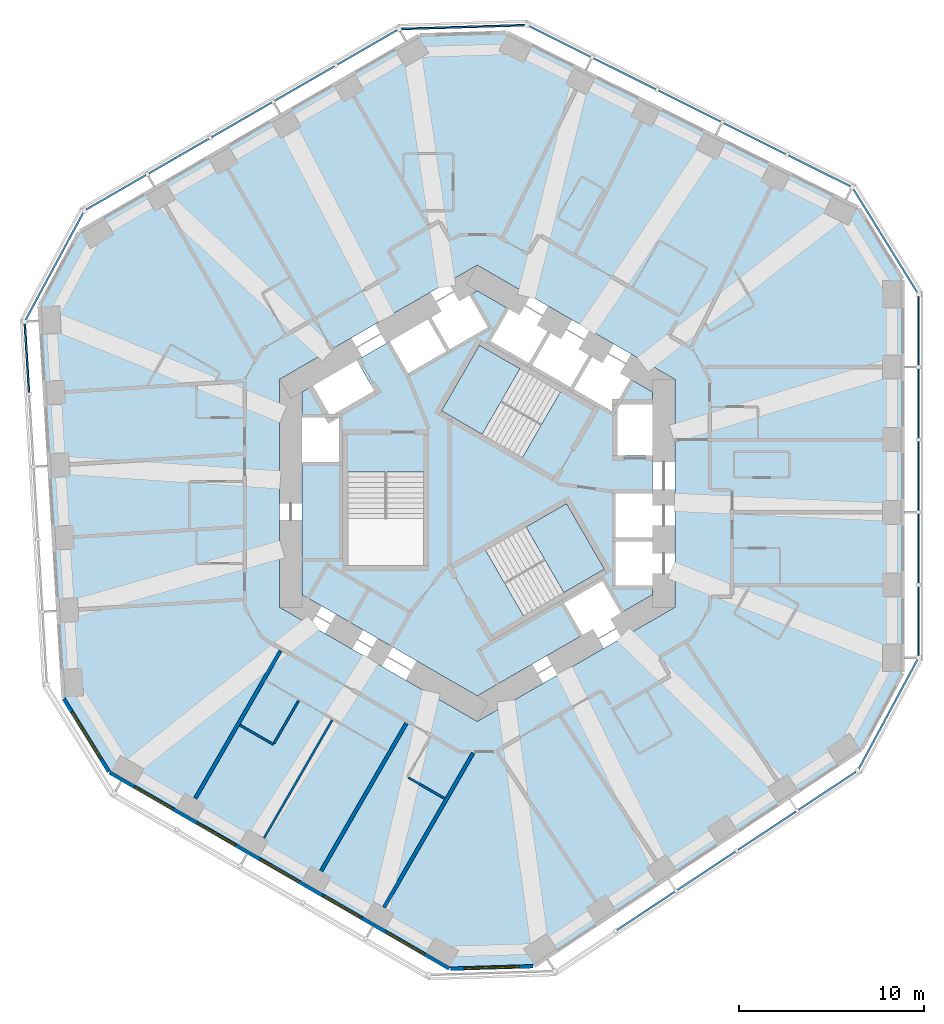
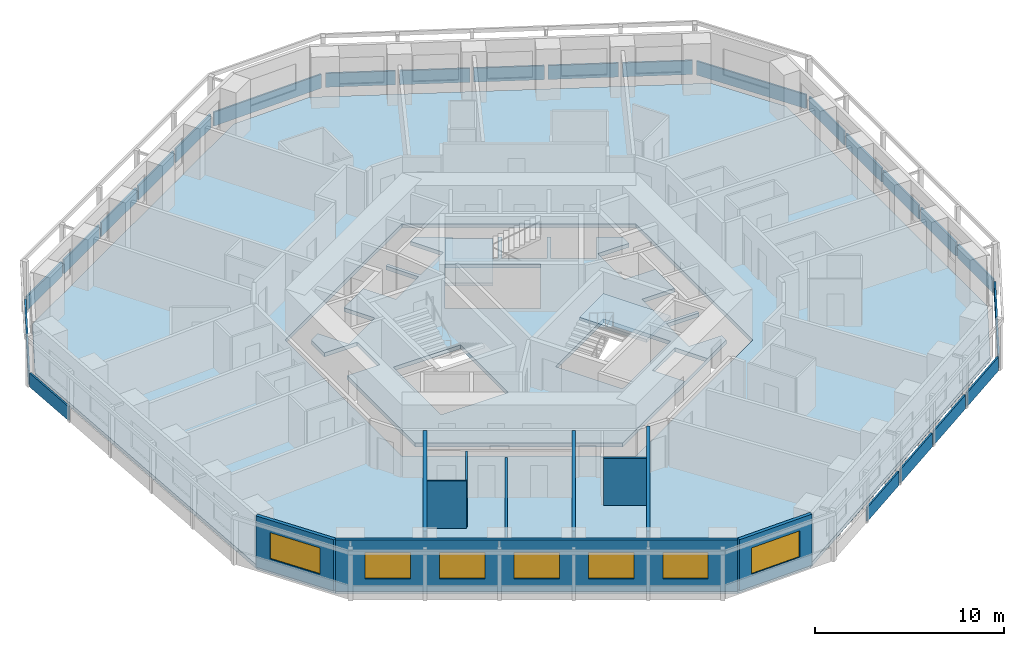
# One storey, part 3 of 12: 24 plates, 10 walls, 7 windows, 4 slabs, 7 openings, 11 elements without a shape of their own.
"""IFC4 building model written with IfcOpenShell, lengths in metres."""

from ifc_helpers import new_model, si_unit, direction, frame, frame_2d, origin, origin_2d, place, context, subcontext, project, spatial, polyline, rectangle, outline, extrude, material, layer, layer_set, type_object, element, fill, aggregate, save


model = new_model("IFC4")

# Units and contexts
model_context = context("Model", 3, precision=1e-05, world=origin(), true_north=direction((0.0, 1.0)))
body_context = subcontext(model_context, "Body", "Model", "MODEL_VIEW")
ifc_project = project(units=[si_unit("LENGTHUNIT", "METRE"), si_unit("AREAUNIT", "SQUARE_METRE"), si_unit("VOLUMEUNIT", "CUBIC_METRE"), si_unit("PLANEANGLEUNIT", "RADIAN"), si_unit("MASSUNIT", "GRAM", prefix="KILO")], contexts=[model_context])

# Site, building, storey
site_placement = place(None, origin())
site = spatial("IfcSite", under=ifc_project, at=site_placement, CompositionType="ELEMENT")
building_placement = place(site_placement, origin())
building = spatial("IfcBuilding", under=site, at=building_placement, Name="Vanh Sen Convention Tower", CompositionType="ELEMENT")
storey_placement = place(building_placement, frame((0.0, 0.0, 60.5)))
storey = spatial("IfcBuildingStorey", under=building, at=storey_placement, Name="L12", CompositionType="ELEMENT", Elevation=60.5)

# Slabs
ifc_material_1 = material(Name="Concrete C40/50", Category="concrete")
ifc_layer_1 = layer(ifc_material_1, 0.25)
ifc_layer_set_1 = layer_set([ifc_layer_1], Name="Concrete C40/50")
slab_type_1 = type_object("IfcSlabType", Name="Core slab 250", PredefinedType="FLOOR", material=ifc_layer_set_1)
slab_1_placement = place(storey_placement, frame((0.0, 0.0, -0.25)))
element("IfcSlab", 1, at=slab_1_placement, inside=storey, type_object=slab_type_1, Name="Core slab L12", PredefinedType="FLOOR", context=body_context, shape_type="SweptSolid", body=[
    extrude(outline(polyline([(9.5, 5.48486328125), (9.5, 4.800048828125), (7.60009765625, 4.800048828125), (7.60009765625, 2.050048828125), (9.5, 2.050048828125), (9.5, 0.0), (7.5, 0.0), (7.5, -2.39990234375), (9.5, -2.39990234375), (9.5, -2.60009765625), (7.5, -2.60009765625), (7.5, -5.0), (9.5, -5.0), (9.5, -5.48486328125), (0.0, -10.9697265625), (-9.5, -5.48486328125), (-9.5, 1.699951171875), (-7.5, 1.699951171875), (-7.5, 4.10009765625), (-9.5, 4.10009765625), (-9.5, 5.48486328125), (-8.906982421875, 5.8271484375), (-7.956787109375, 4.181884765625), (-5.575439453125, 5.556884765625), (-6.525390625, 7.2021484375), (-4.75, 8.227294921875), (-3.75, 6.4951171875), (-1.67138671875, 7.6953125), (-2.67138671875, 9.42724609375), (-2.498291015625, 9.527099609375), (-1.498291015625, 7.795166015625), (0.580078125, 8.9951171875), (-0.419921875, 10.727294921875), (0.0, 10.9697265625), (1.718994140625, 9.977294921875), (0.718994140625, 8.2451171875), (2.79736328125, 7.045166015625), (3.79736328125, 8.777099609375), (3.970703125, 8.67724609375), (2.970703125, 6.9453125), (5.049072265625, 5.7451171875), (6.049072265625, 7.477294921875), (6.22216796875, 7.377197265625), (5.22216796875, 5.645263671875), (7.30078125, 4.4453125), (8.30078125, 6.17724609375), (9.5, 5.48486328125)]), holes=[polyline([(-7.0, 3.14990234375), (-7.0, -3.909912109375), (-2.89990234375, -3.909912109375), (-2.89990234375, 3.14990234375), (-2.89990234375, 1.1494140625), (-7.0, 1.1494140625), (-7.0, 3.14990234375)]), polyline([(4.495361328125, 5.487548828125), (6.22802734375, 4.4873046875), (0.11376953125, 8.01708984375), (-1.936279296875, 4.466552734375), (2.4453125, 1.936767578125), (4.495361328125, 5.487548828125)]), polyline([(7.781005859375, -6.477294921875), (6.781005859375, -4.7451171875), (4.70263671875, -5.9453125), (5.70263671875, -7.67724609375), (7.781005859375, -6.477294921875)]), polyline([(0.45458984375, -3.086181640625), (2.504638671875, -6.63671875), (6.88623046875, -4.107177734375), (4.836181640625, -0.556396484375), (-1.278076171875, -4.08642578125), (0.45458984375, -3.086181640625)])]), origin(), (0.0, 0.0, 1.0), 0.25),
])
ifc_layer_2 = layer(ifc_material_1, 0.25)
ifc_layer_set_2 = layer_set([ifc_layer_2], Name="Concrete C40/50")
slab_type_2 = type_object("IfcSlabType", Name="Floor slab 250 REI 120", PredefinedType="FLOOR", material=ifc_layer_set_2)
slab_2_placement = place(storey_placement, frame((0.0, 0.0, -0.25)))
element("IfcSlab", 2, at=slab_2_placement, inside=storey, type_object=slab_type_2, Name="Floor slab L12 tower", PredefinedType="FLOOR", context=body_context, shape_type="SweptSolid", body=[
    extrude(outline(polyline([(23.0, -9.69921875), (23.0, 11.57373046875), (20.620361328125, 15.419189453125), (1.58251953125, 24.911376953125), (-3.10009765625, 24.768310546875), (-21.523193359375, 14.131591796875), (-23.663818359375, 10.14794921875), (-22.364990234375, -11.085205078125), (-19.89990234375, -15.069091796875), (-1.476806640625, -25.705322265625), (3.04345703125, -25.5673828125), (20.78271484375, -13.825927734375), (23.0, -9.69921875)]), holes=[polyline([(0.0, 12.355224609375), (-10.699951171875, 6.177490234375), (-10.699951171875, -6.177490234375), (0.0, -12.355224609375), (10.699951171875, -6.177490234375), (10.699951171875, 6.177490234375), (0.0, 12.355224609375)])]), origin(), (0.0, 0.0, 1.0), 0.25),
])

# Curtain wall, plates
ifc_material_2 = material(Name="Concrete C50/60", Category="concrete")
curtain_wall_type = type_object("IfcCurtainWallType", Name="Outer skin hotel zone", PredefinedType="NOTDEFINED", material=ifc_material_2)
curtain_wall_1_placement = place(storey_placement, origin())
curtain_wall_1 = element("IfcCurtainWall", 3, at=curtain_wall_1_placement, inside=storey, type_object=curtain_wall_type, Name="OUTER SKIN E L12", PredefinedType="NOTDEFINED")
ifc_layer_3 = layer(ifc_material_2, 0.10009765625)
ifc_layer_set_3 = layer_set([ifc_layer_3], Name="Concrete C50/60")
plate_type = type_object("IfcPlateType", Name="Outer skin precast screen panel 100", PredefinedType="CURTAIN_PANEL", material=ifc_layer_set_3)
plate_1_placement = place(storey_placement, frame((23.89990234375, -6.91943359375, 0.0), z_axis=(0.0, 0.0, 1.0), x_axis=(0.0, 1.0, 0.0)))
plate_1 = element("IfcPlate", 4, at=plate_1_placement, type_object=plate_type, Name="OUTER SKIN screen panel E-1", PredefinedType="CURTAIN_PANEL", context=body_context, shape_type="SweptSolid", body=[
    extrude(rectangle(XDim=3.709716796875, YDim=0.10009765625, at=origin_2d()), origin(), (0.0, 0.0, 1.0), 0.89990234375),
])
plate_2_placement = place(storey_placement, frame((23.89990234375, -2.997314453125, 0.0), z_axis=(0.0, 0.0, 1.0), x_axis=(0.0, 1.0, 0.0)))
plate_2 = element("IfcPlate", 5, at=plate_2_placement, type_object=plate_type, Name="OUTER SKIN screen panel E-2", PredefinedType="CURTAIN_PANEL", context=body_context, shape_type="SweptSolid", body=[
    extrude(rectangle(XDim=3.734619140625, YDim=0.10009765625, at=origin_2d()), origin(), (0.0, 0.0, 1.0), 0.89990234375),
])
plate_3_placement = place(storey_placement, frame((23.89990234375, 0.937255859375, 0.0), z_axis=(0.0, 0.0, 1.0), x_axis=(0.0, 1.0, 0.0)))
plate_3 = element("IfcPlate", 6, at=plate_3_placement, type_object=plate_type, Name="OUTER SKIN screen panel E-3", PredefinedType="CURTAIN_PANEL", context=body_context, shape_type="SweptSolid", body=[
    extrude(rectangle(XDim=3.734619140625, YDim=0.10009765625, at=origin_2d()), origin(), (0.0, 0.0, 1.0), 0.89990234375),
])
plate_4_placement = place(storey_placement, frame((23.89990234375, 4.871826171875, 0.0), z_axis=(0.0, 0.0, 1.0), x_axis=(0.0, 1.0, 0.0)))
plate_4 = element("IfcPlate", 7, at=plate_4_placement, type_object=plate_type, Name="OUTER SKIN screen panel E-4", PredefinedType="CURTAIN_PANEL", context=body_context, shape_type="SweptSolid", body=[
    extrude(rectangle(XDim=3.734619140625, YDim=0.10009765625, at=origin_2d()), origin(), (0.0, 0.0, 1.0), 0.89990234375),
])
plate_5_placement = place(storey_placement, frame((23.89990234375, 8.7939453125, 0.0), z_axis=(0.0, 0.0, 1.0), x_axis=(0.0, 1.0, 0.0)))
plate_5 = element("IfcPlate", 8, at=plate_5_placement, type_object=plate_type, Name="OUTER SKIN screen panel E-5", PredefinedType="CURTAIN_PANEL", context=body_context, shape_type="SweptSolid", body=[
    extrude(rectangle(XDim=3.709716796875, YDim=0.10009765625, at=origin_2d()), origin(), (0.0, 0.0, 1.0), 0.89990234375),
])
aggregate(curtain_wall_1, [plate_1, plate_2, plate_3, plate_4, plate_5])

# Curtain wall, plate
curtain_wall_2_placement = place(storey_placement, origin())
curtain_wall_2 = element("IfcCurtainWall", 9, at=curtain_wall_2_placement, inside=storey, type_object=curtain_wall_type, Name="OUTER SKIN CH1 L12", PredefinedType="NOTDEFINED")
plate_6_placement = place(storey_placement, frame((22.102783203125, 13.677734375, 0.0), z_axis=(0.0, 0.0, 1.0), x_axis=(-0.526212439506, 0.850353143411, 0.0)))
plate_6 = element("IfcPlate", 10, at=plate_6_placement, type_object=plate_type, Name="OUTER SKIN screen panel CH1-1", PredefinedType="CURTAIN_PANEL", context=body_context, shape_type="SweptSolid", body=[
    extrude(rectangle(XDim=6.580078125, YDim=0.10009765625, at=origin_2d()), origin(), (0.0, 0.0, 1.0), 0.89990234375),
])
aggregate(curtain_wall_2, [plate_6])

# Curtain wall, plates
curtain_wall_3_placement = place(storey_placement, origin())
curtain_wall_3 = element("IfcCurtainWall", 11, at=curtain_wall_3_placement, inside=storey, type_object=curtain_wall_type, Name="OUTER SKIN NE L12", PredefinedType="NOTDEFINED")
plate_7_placement = place(storey_placement, frame((18.5341796875, 17.465087890625, 0.0), z_axis=(0.0, 0.0, 1.0), x_axis=(-0.894935140363, 0.446196251154, 0.0)))
plate_7 = element("IfcPlate", 12, at=plate_7_placement, type_object=plate_type, Name="OUTER SKIN screen panel NE-1", PredefinedType="CURTAIN_PANEL", context=body_context, shape_type="SweptSolid", body=[
    extrude(rectangle(XDim=3.709716796875, YDim=0.10009765625, at=origin_2d()), origin(), (0.0, 0.0, 1.0), 0.89990234375),
])
plate_8_placement = place(storey_placement, frame((15.024169921875, 19.215087890625, 0.0), z_axis=(0.0, 0.0, 1.0), x_axis=(-0.894935140363, 0.446196251154, 0.0)))
plate_8 = element("IfcPlate", 13, at=plate_8_placement, type_object=plate_type, Name="OUTER SKIN screen panel NE-2", PredefinedType="CURTAIN_PANEL", context=body_context, shape_type="SweptSolid", body=[
    extrude(rectangle(XDim=3.734619140625, YDim=0.10009765625, at=origin_2d()), origin(), (0.0, 0.0, 1.0), 0.89990234375),
])
plate_9_placement = place(storey_placement, frame((11.5029296875, 20.970703125, 0.0), z_axis=(0.0, 0.0, 1.0), x_axis=(-0.894935140363, 0.446196251154, 0.0)))
plate_9 = element("IfcPlate", 14, at=plate_9_placement, type_object=plate_type, Name="OUTER SKIN screen panel NE-3", PredefinedType="CURTAIN_PANEL", context=body_context, shape_type="SweptSolid", body=[
    extrude(rectangle(XDim=3.734619140625, YDim=0.10009765625, at=origin_2d()), origin(), (0.0, 0.0, 1.0), 0.89990234375),
])
plate_10_placement = place(storey_placement, frame((7.981689453125, 22.726318359375, 0.0), z_axis=(0.0, 0.0, 1.0), x_axis=(-0.894935140363, 0.446196251154, 0.0)))
plate_10 = element("IfcPlate", 15, at=plate_10_placement, type_object=plate_type, Name="OUTER SKIN screen panel NE-4", PredefinedType="CURTAIN_PANEL", context=body_context, shape_type="SweptSolid", body=[
    extrude(rectangle(XDim=3.734619140625, YDim=0.10009765625, at=origin_2d()), origin(), (0.0, 0.0, 1.0), 0.89990234375),
])
plate_11_placement = place(storey_placement, frame((4.4716796875, 24.476318359375, 0.0), z_axis=(0.0, 0.0, 1.0), x_axis=(-0.894935140363, 0.446196251154, 0.0)))
plate_11 = element("IfcPlate", 16, at=plate_11_placement, type_object=plate_type, Name="OUTER SKIN screen panel NE-5", PredefinedType="CURTAIN_PANEL", context=body_context, shape_type="SweptSolid", body=[
    extrude(rectangle(XDim=3.709716796875, YDim=0.10009765625, at=origin_2d()), origin(), (0.0, 0.0, 1.0), 0.89990234375),
])
aggregate(curtain_wall_3, [plate_7, plate_8, plate_9, plate_10, plate_11])

# Curtain wall, plate
curtain_wall_4_placement = place(storey_placement, origin())
curtain_wall_4 = element("IfcCurtainWall", 17, at=curtain_wall_4_placement, inside=storey, type_object=curtain_wall_type, Name="OUTER SKIN CH2 L12", PredefinedType="NOTDEFINED")
plate_12_placement = place(storey_placement, frame((-0.771484375, 25.253662109375, 0.0), z_axis=(0.0, 0.0, 1.0), x_axis=(-0.999533644135, -0.030536768695, 0.0)))
plate_12 = element("IfcPlate", 18, at=plate_12_placement, type_object=plate_type, Name="OUTER SKIN screen panel CH2-1", PredefinedType="CURTAIN_PANEL", context=body_context, shape_type="SweptSolid", body=[
    extrude(rectangle(XDim=6.696044921875, YDim=0.10009765625, at=origin_2d()), origin(), (0.0, 0.0, 1.0), 0.89990234375),
])
aggregate(curtain_wall_4, [plate_12])

# Curtain wall, plates
curtain_wall_5_placement = place(storey_placement, origin())
curtain_wall_5 = element("IfcCurtainWall", 19, at=curtain_wall_5_placement, inside=storey, type_object=curtain_wall_type, Name="OUTER SKIN NW L12", PredefinedType="NOTDEFINED")
plate_13_placement = place(storey_placement, frame((-5.95751953125, 24.15771484375, 0.0), z_axis=(0.0, 0.0, 1.0), x_axis=(-0.866028021766, -0.499995465495, 0.0)))
plate_13 = element("IfcPlate", 20, at=plate_13_placement, type_object=plate_type, Name="OUTER SKIN screen panel NW-1", PredefinedType="CURTAIN_PANEL", context=body_context, shape_type="SweptSolid", body=[
    extrude(rectangle(XDim=3.709716796875, YDim=0.10009765625, at=origin_2d()), origin(), (0.0, 0.0, 1.0), 0.89990234375),
])
plate_14_placement = place(storey_placement, frame((-9.354248046875, 22.19677734375, 0.0), z_axis=(0.0, 0.0, 1.0), x_axis=(-0.866021040428, -0.500007557478, 0.0)))
plate_14 = element("IfcPlate", 21, at=plate_14_placement, type_object=plate_type, Name="OUTER SKIN screen panel NW-2", PredefinedType="CURTAIN_PANEL", context=body_context, shape_type="SweptSolid", body=[
    extrude(rectangle(XDim=3.734619140625, YDim=0.10009765625, at=origin_2d()), origin(), (0.0, 0.0, 1.0), 0.89990234375),
])
plate_15_placement = place(storey_placement, frame((-12.76171875, 20.2294921875, 0.0), z_axis=(0.0, 0.0, 1.0), x_axis=(-0.866028021766, -0.499995465495, 0.0)))
plate_15 = element("IfcPlate", 22, at=plate_15_placement, type_object=plate_type, Name="OUTER SKIN screen panel NW-3", PredefinedType="CURTAIN_PANEL", context=body_context, shape_type="SweptSolid", body=[
    extrude(rectangle(XDim=3.734619140625, YDim=0.10009765625, at=origin_2d()), origin(), (0.0, 0.0, 1.0), 0.89990234375),
])
plate_16_placement = place(storey_placement, frame((-16.169189453125, 18.26220703125, 0.0), z_axis=(0.0, 0.0, 1.0), x_axis=(-0.866028021766, -0.499995465495, 0.0)))
plate_16 = element("IfcPlate", 23, at=plate_16_placement, type_object=plate_type, Name="OUTER SKIN screen panel NW-4", PredefinedType="CURTAIN_PANEL", context=body_context, shape_type="SweptSolid", body=[
    extrude(rectangle(XDim=3.734619140625, YDim=0.10009765625, at=origin_2d()), origin(), (0.0, 0.0, 1.0), 0.89990234375),
])
plate_17_placement = place(storey_placement, frame((-19.56591796875, 16.301025390625, 0.0), z_axis=(0.0, 0.0, 1.0), x_axis=(-0.866021040428, -0.500007557478, 0.0)))
plate_17 = element("IfcPlate", 24, at=plate_17_placement, type_object=plate_type, Name="OUTER SKIN screen panel NW-5", PredefinedType="CURTAIN_PANEL", context=body_context, shape_type="SweptSolid", body=[
    extrude(rectangle(XDim=3.70947265625, YDim=0.10009765625, at=origin_2d()), origin(), (0.0, 0.0, 1.0), 0.89990234375),
])
aggregate(curtain_wall_5, [plate_13, plate_14, plate_15, plate_16, plate_17])

# Curtain wall, plate
curtain_wall_6_placement = place(storey_placement, origin())
curtain_wall_6 = element("IfcCurtainWall", 25, at=curtain_wall_6_placement, inside=storey, type_object=curtain_wall_type, Name="OUTER SKIN CH3 L12", PredefinedType="NOTDEFINED")
plate_18_placement = place(storey_placement, frame((-22.896728515625, 12.302978515625, 0.0), z_axis=(0.0, 0.0, 1.0), x_axis=(-0.47331812974, -0.880891564303, 0.0)))
plate_18 = element("IfcPlate", 26, at=plate_18_placement, type_object=plate_type, Name="OUTER SKIN screen panel CH3-1", PredefinedType="CURTAIN_PANEL", context=body_context, shape_type="SweptSolid", body=[
    extrude(rectangle(XDim=6.580078125, YDim=0.10009765625, at=origin_2d()), origin(), (0.0, 0.0, 1.0), 0.89990234375),
])
aggregate(curtain_wall_6, [plate_18])

curtain_wall_7_placement = place(storey_placement, origin())
curtain_wall_7 = element("IfcCurtainWall", 27, at=curtain_wall_7_placement, inside=storey, type_object=curtain_wall_type, Name="OUTER SKIN W L12", PredefinedType="NOTDEFINED")
plate_19_placement = place(storey_placement, frame((-24.39208984375, 7.318603515625, 0.0), z_axis=(0.0, 0.0, 1.0), x_axis=(0.061046797461, -0.99813490497, 0.0)))
plate_19 = element("IfcPlate", 28, at=plate_19_placement, type_object=plate_type, Name="OUTER SKIN screen panel W-1", PredefinedType="CURTAIN_PANEL", context=body_context, shape_type="SweptSolid", body=[
    extrude(rectangle(XDim=3.709716796875, YDim=0.10009765625, at=origin_2d()), origin(), (0.0, 0.0, 1.0), 0.89990234375),
])
aggregate(curtain_wall_7, [plate_19])

# Curtain wall, plates
curtain_wall_8_placement = place(storey_placement, origin())
curtain_wall_8 = element("IfcCurtainWall", 29, at=curtain_wall_8_placement, inside=storey, type_object=curtain_wall_type, Name="OUTER SKIN SE L12", PredefinedType="NOTDEFINED")
plate_20_placement = place(storey_placement, frame((9.128662109375, -22.618896484375, 0.0), z_axis=(0.0, 0.0, 1.0), x_axis=(0.833891601892, 0.55192825285, 0.0)))
plate_20 = element("IfcPlate", 30, at=plate_20_placement, type_object=plate_type, Name="OUTER SKIN screen panel SE-2", PredefinedType="CURTAIN_PANEL", context=body_context, shape_type="SweptSolid", body=[
    extrude(rectangle(XDim=3.734619140625, YDim=0.10009765625, at=origin_2d()), origin(), (0.0, 0.0, 1.0), 0.89990234375),
])
plate_21_placement = place(storey_placement, frame((12.40966796875, -20.447265625, 0.0), z_axis=(0.0, 0.0, 1.0), x_axis=(0.833880042151, 0.551945717714, 0.0)))
plate_21 = element("IfcPlate", 31, at=plate_21_placement, type_object=plate_type, Name="OUTER SKIN screen panel SE-3", PredefinedType="CURTAIN_PANEL", context=body_context, shape_type="SweptSolid", body=[
    extrude(rectangle(XDim=3.734619140625, YDim=0.10009765625, at=origin_2d()), origin(), (0.0, 0.0, 1.0), 0.89990234375),
])
plate_22_placement = place(storey_placement, frame((15.690673828125, -18.275390625, 0.0), z_axis=(0.0, 0.0, 1.0), x_axis=(0.833891601892, 0.55192825285, 0.0)))
plate_22 = element("IfcPlate", 32, at=plate_22_placement, type_object=plate_type, Name="OUTER SKIN screen panel SE-4", PredefinedType="CURTAIN_PANEL", context=body_context, shape_type="SweptSolid", body=[
    extrude(rectangle(XDim=3.734619140625, YDim=0.10009765625, at=origin_2d()), origin(), (0.0, 0.0, 1.0), 0.89990234375),
])
plate_23_placement = place(storey_placement, frame((18.961181640625, -16.11083984375, 0.0), z_axis=(0.0, 0.0, 1.0), x_axis=(0.833880042151, 0.551945717714, 0.0)))
plate_23 = element("IfcPlate", 33, at=plate_23_placement, type_object=plate_type, Name="OUTER SKIN screen panel SE-5", PredefinedType="CURTAIN_PANEL", context=body_context, shape_type="SweptSolid", body=[
    extrude(rectangle(XDim=3.709716796875, YDim=0.10009765625, at=origin_2d()), origin(), (0.0, 0.0, 1.0), 0.89990234375),
])
aggregate(curtain_wall_8, [plate_20, plate_21, plate_22, plate_23])

# Curtain wall, plate
curtain_wall_9_placement = place(storey_placement, origin())
curtain_wall_9 = element("IfcCurtainWall", 34, at=curtain_wall_9_placement, inside=storey, type_object=curtain_wall_type, Name="OUTER SKIN CH6 L12", PredefinedType="NOTDEFINED")
plate_24_placement = place(storey_placement, frame((22.256103515625, -11.95849609375, 0.0), z_axis=(0.0, 0.0, 1.0), x_axis=(0.473322742071, 0.880889086003, 0.0)))
plate_24 = element("IfcPlate", 35, at=plate_24_placement, type_object=plate_type, Name="OUTER SKIN screen panel CH6-1", PredefinedType="CURTAIN_PANEL", context=body_context, shape_type="SweptSolid", body=[
    extrude(rectangle(XDim=6.6962890625, YDim=0.10009765625, at=origin_2d()), origin(), (0.0, 0.0, 1.0), 0.89990234375),
])
aggregate(curtain_wall_9, [plate_24])

# Stair, slab
ifc_material_3 = material(Name="Concrete C50/60", Category="concrete")
stair_type_1 = type_object("IfcStairType", Name="Exit stair ST1 20 risers at 165.0", PredefinedType="HALF_TURN_STAIR", material=ifc_material_3)
stair_1_placement = place(storey_placement, origin())
stair_1 = element("IfcStair", 36, at=stair_1_placement, inside=storey, type_object=stair_type_1, Name="Exit stair ST1 L12", PredefinedType="HALF_TURN_STAIR")
ifc_layer_4 = layer(ifc_material_1, 0.199951171875)
ifc_layer_set_4 = layer_set([ifc_layer_4], Name="Concrete C40/50")
slab_type_3 = type_object("IfcSlabType", Name="Stair landing 200", PredefinedType="LANDING", material=ifc_layer_set_4)
slab_3_placement = place(storey_placement, frame((0.0, 0.0, 1.449951171875)))
slab_3 = element("IfcSlab", 37, at=slab_3_placement, type_object=slab_type_3, Name="ST1 landing 1", PredefinedType="LANDING", context=body_context, shape_type="SweptSolid", body=[
    extrude(outline(polyline([(2.314208984375, 6.746826171875), (0.11376953125, 8.01708984375), (-1.936279296875, 4.466552734375), (0.26416015625, 3.196044921875), (2.314208984375, 6.746826171875)])), origin(), (0.0, 0.0, 1.0), 0.199951171875),
])
aggregate(stair_1, [slab_3])

stair_type_2 = type_object("IfcStairType", Name="Exit stair ST3 20 risers at 165.0", PredefinedType="HALF_TURN_STAIR", material=ifc_material_3)
stair_2_placement = place(storey_placement, origin())
stair_2 = element("IfcStair", 38, at=stair_2_placement, inside=storey, type_object=stair_type_2, Name="Exit stair ST3 L12", PredefinedType="HALF_TURN_STAIR")
slab_4_placement = place(storey_placement, frame((0.0, 0.0, 1.449951171875)))
slab_4 = element("IfcSlab", 39, at=slab_4_placement, type_object=slab_type_3, Name="ST3 landing 1", PredefinedType="LANDING", context=body_context, shape_type="SweptSolid", body=[
    extrude(outline(polyline([(4.685791015625, -5.37744140625), (6.88623046875, -4.107177734375), (4.836181640625, -0.556396484375), (2.6357421875, -1.826904296875), (4.685791015625, -5.37744140625)])), origin(), (0.0, 0.0, 1.0), 0.199951171875),
])
aggregate(stair_2, [slab_4])

# Walls
ifc_material_4 = material(Name="Moisture-resistant gypsum board on steel studs", Category="steel")
ifc_layer_5 = layer(ifc_material_4, 0.1201171875)
ifc_layer_set_5 = layer_set([ifc_layer_5], Name="Moisture-resistant gypsum board on steel studs")
wall_type_1 = type_object("IfcWallType", Name="Bathroom partition 120", PredefinedType="PARTITIONING", material=ifc_layer_set_5)
wall_1_placement = place(storey_placement, frame((-12.86279296875, -12.5498046875, 0.0), z_axis=(0.0, 0.0, 1.0), x_axis=(0.866009402589, -0.500027713859, 0.0)))
element("IfcWall", 40, at=wall_1_placement, inside=storey, type_object=wall_type_1, Name="Bathroom partition 120", PredefinedType="PARTITIONING", context=body_context, shape_type="SweptSolid", body=[
    extrude(rectangle(XDim=2.10009765625, YDim=0.1201171875, at=frame_2d((1.050048828125, 0.0))), origin(), (0.0, 0.0, 1.0), 3.050048828125),
])
wall_2_placement = place(storey_placement, frame((-11.550537109375, -18.677001953125, 0.0), z_axis=(0.0, 0.0, 1.0), x_axis=(0.500008425378, 0.866020539336, 0.0)))
element("IfcWall", 41, at=wall_2_placement, inside=storey, type_object=wall_type_1, Name="Bathroom partition 120", PredefinedType="PARTITIONING", context=body_context, shape_type="SweptSolid", body=[
    extrude(rectangle(XDim=7.389892578125, YDim=0.1201171875, at=frame_2d((3.69482421875, 0.0))), origin(), (0.0, 0.0, 1.0), 2.60009765625),
])
wall_3_placement = place(storey_placement, frame((-11.01416015625, -13.5478515625, 0.0), z_axis=(0.0, 0.0, 1.0), x_axis=(0.499980071345, 0.866036909293, 0.0)))
element("IfcWall", 42, at=wall_3_placement, inside=storey, type_object=wall_type_1, Name="Bathroom partition 120", PredefinedType="PARTITIONING", context=body_context, shape_type="SweptSolid", body=[
    extrude(rectangle(XDim=2.6796875, YDim=0.1201171875, at=frame_2d((1.33984375, 0.0))), origin(), (0.0, 0.0, 1.0), 3.050048828125),
])
wall_4_placement = place(storey_placement, frame((-1.763671875, -16.533203125, 0.0), z_axis=(0.0, 0.0, 1.0), x_axis=(-0.866008641419, 0.500029032144, 0.0)))
element("IfcWall", 43, at=wall_4_placement, inside=storey, type_object=wall_type_1, Name="Bathroom partition 120", PredefinedType="PARTITIONING", context=body_context, shape_type="SweptSolid", body=[
    extrude(rectangle(XDim=2.274658203125, YDim=0.1201171875, at=frame_2d((1.13720703125, 0.0))), origin(), (0.0, 0.0, 1.0), 3.050048828125),
])

# Wall, opening, window
ifc_material_5 = material(Name="Insulated lightweight infill wall")
ifc_layer_6 = layer(ifc_material_5, 0.199951171875)
ifc_layer_set_6 = layer_set([ifc_layer_6], Name="Insulated lightweight infill wall")
wall_type_2 = type_object("IfcWallType", Name="External wall 200", PredefinedType="STANDARD", material=ifc_layer_set_6)
wall_5_placement = place(storey_placement, frame((-22.40087890625, -11.122314453125, 0.0), z_axis=(0.0, 0.0, 1.0), x_axis=(0.526197679914, -0.850362276711, 0.0)))
wall_5 = element("IfcWall", 44, at=wall_5_placement, inside=storey, type_object=wall_type_2, Name="External wall CH4 L12", PredefinedType="STANDARD", context=body_context, shape_type="SweptSolid", body=[
    extrude(rectangle(XDim=4.65966796875, YDim=0.199951171875, at=frame_2d((2.329833984375, 0.0))), origin(), (0.0, 0.0, 1.0), 3.300048828125),
])
opening_1_placement = place(wall_5_placement, frame((0.829833984375, 0.0, 0.800048828125)))
opening_1 = element("IfcOpeningElement", 45, at=opening_1_placement, cuts=wall_5, Name="Opening WH2-CH41", PredefinedType="OPENING", context=body_context, shape_type="SweptSolid", body=[
    extrude(rectangle(XDim=3.0, YDim=1.699951171875, at=frame_2d((1.5, 0.85009765625))), frame((0.0, 0.10986328125, 0.0), z_axis=(0.0, -1.0, 0.0), x_axis=(1.0, 0.0, 0.0)), (0.0, 0.0, 1.0), 0.219970703125),
])
ifc_material_6 = material(Name="Aluminium frame with clear low-emissivity glass", Category="aluminium")
window_type_1 = type_object("IfcWindowType", Name="Hotel window 3000 x 1700", PartitioningType="SINGLE_PANEL", PredefinedType="WINDOW", material=ifc_material_6)
window_1_placement = place(opening_1_placement, origin())
window_1 = element("IfcWindow", 46, at=window_1_placement, inside=storey, type_object=window_type_1, Name="Window WH2-CH41", OverallHeight=1.699951171875, OverallWidth=3.0, PartitioningType="SINGLE_PANEL", PredefinedType="WINDOW", context=body_context, shape_type="SweptSolid", body=[
    extrude(rectangle(XDim=3.0, YDim=1.699951171875, at=frame_2d((1.5, 0.85009765625))), frame((0.0, 0.030029296875, 0.0), z_axis=(0.0, -1.0, 0.0), x_axis=(1.0, 0.0, 0.0)), (0.0, 0.0, 1.0), 0.06005859375),
])
fill(opening_1, window_1)

# Wall, openings, windows
wall_6_placement = place(storey_placement, frame((-19.913818359375, -15.11865234375, 0.0), z_axis=(0.0, 0.0, 1.0), x_axis=(0.866025418898, -0.499999973822, 0.0)))
wall_6 = element("IfcWall", 47, at=wall_6_placement, inside=storey, type_object=wall_type_2, Name="External wall SW L12", PredefinedType="STANDARD", context=body_context, shape_type="SweptSolid", body=[
    extrude(rectangle(XDim=21.24609375, YDim=0.199951171875, at=frame_2d((10.623046875, 0.0))), origin(), (0.0, 0.0, 1.0), 3.300048828125),
])
opening_2_placement = place(wall_6_placement, frame((1.5546875, 0.0, 0.800048828125)))
opening_2 = element("IfcOpeningElement", 48, at=opening_2_placement, cuts=wall_6, Name="Opening WH1-SW1", PredefinedType="OPENING", context=body_context, shape_type="SweptSolid", body=[
    extrude(rectangle(XDim=2.39990234375, YDim=1.699951171875, at=frame_2d((1.199951171875, 0.85009765625))), frame((0.0, 0.10986328125, 0.0), z_axis=(0.0, -1.0, 0.0), x_axis=(1.0, 0.0, 0.0)), (0.0, 0.0, 1.0), 0.219970703125),
])
opening_3_placement = place(wall_6_placement, frame((5.4892578125, 0.0, 0.800048828125)))
opening_3 = element("IfcOpeningElement", 49, at=opening_3_placement, cuts=wall_6, Name="Opening WH1-SW2", PredefinedType="OPENING", context=body_context, shape_type="SweptSolid", body=[
    extrude(rectangle(XDim=2.39990234375, YDim=1.699951171875, at=frame_2d((1.199951171875, 0.85009765625))), frame((0.0, 0.10986328125, 0.0), z_axis=(0.0, -1.0, 0.0), x_axis=(1.0, 0.0, 0.0)), (0.0, 0.0, 1.0), 0.219970703125),
])
opening_4_placement = place(wall_6_placement, frame((9.423828125, 0.0, 0.800048828125)))
opening_4 = element("IfcOpeningElement", 50, at=opening_4_placement, cuts=wall_6, Name="Opening WH1-SW3", PredefinedType="OPENING", context=body_context, shape_type="SweptSolid", body=[
    extrude(rectangle(XDim=2.39990234375, YDim=1.699951171875, at=frame_2d((1.199951171875, 0.85009765625))), frame((0.0, 0.10986328125, 0.0), z_axis=(0.0, -1.0, 0.0), x_axis=(1.0, 0.0, 0.0)), (0.0, 0.0, 1.0), 0.219970703125),
])
opening_5_placement = place(wall_6_placement, frame((13.3583984375, 0.0, 0.800048828125)))
opening_5 = element("IfcOpeningElement", 51, at=opening_5_placement, cuts=wall_6, Name="Opening WH1-SW4", PredefinedType="OPENING", context=body_context, shape_type="SweptSolid", body=[
    extrude(rectangle(XDim=2.39990234375, YDim=1.699951171875, at=frame_2d((1.199951171875, 0.85009765625))), frame((0.0, 0.10986328125, 0.0), z_axis=(0.0, -1.0, 0.0), x_axis=(1.0, 0.0, 0.0)), (0.0, 0.0, 1.0), 0.219970703125),
])
opening_6_placement = place(wall_6_placement, frame((17.293212890625, 0.0, 0.800048828125)))
opening_6 = element("IfcOpeningElement", 52, at=opening_6_placement, cuts=wall_6, Name="Opening WH1-SW5", PredefinedType="OPENING", context=body_context, shape_type="SweptSolid", body=[
    extrude(rectangle(XDim=2.39990234375, YDim=1.699951171875, at=frame_2d((1.199951171875, 0.85009765625))), frame((0.0, 0.10986328125, 0.0), z_axis=(0.0, -1.0, 0.0), x_axis=(1.0, 0.0, 0.0)), (0.0, 0.0, 1.0), 0.219970703125),
])
window_type_2 = type_object("IfcWindowType", Name="Hotel window 2400 x 1700", PartitioningType="SINGLE_PANEL", PredefinedType="WINDOW", material=ifc_material_6)
window_2_placement = place(opening_2_placement, origin())
window_2 = element("IfcWindow", 53, at=window_2_placement, inside=storey, type_object=window_type_2, Name="Window WH1-SW1", OverallHeight=1.699951171875, OverallWidth=2.39990234375, PartitioningType="SINGLE_PANEL", PredefinedType="WINDOW", context=body_context, shape_type="SweptSolid", body=[
    extrude(rectangle(XDim=2.39990234375, YDim=1.699951171875, at=frame_2d((1.199951171875, 0.85009765625))), frame((0.0, 0.030029296875, 0.0), z_axis=(0.0, -1.0, 0.0), x_axis=(1.0, 0.0, 0.0)), (0.0, 0.0, 1.0), 0.06005859375),
])
fill(opening_2, window_2)
window_3_placement = place(opening_3_placement, origin())
window_3 = element("IfcWindow", 54, at=window_3_placement, inside=storey, type_object=window_type_2, Name="Window WH1-SW2", OverallHeight=1.699951171875, OverallWidth=2.39990234375, PartitioningType="SINGLE_PANEL", PredefinedType="WINDOW", context=body_context, shape_type="SweptSolid", body=[
    extrude(rectangle(XDim=2.39990234375, YDim=1.699951171875, at=frame_2d((1.199951171875, 0.85009765625))), frame((0.0, 0.030029296875, 0.0), z_axis=(0.0, -1.0, 0.0), x_axis=(1.0, 0.0, 0.0)), (0.0, 0.0, 1.0), 0.06005859375),
])
fill(opening_3, window_3)
window_4_placement = place(opening_4_placement, origin())
window_4 = element("IfcWindow", 55, at=window_4_placement, inside=storey, type_object=window_type_2, Name="Window WH1-SW3", OverallHeight=1.699951171875, OverallWidth=2.39990234375, PartitioningType="SINGLE_PANEL", PredefinedType="WINDOW", context=body_context, shape_type="SweptSolid", body=[
    extrude(rectangle(XDim=2.39990234375, YDim=1.699951171875, at=frame_2d((1.199951171875, 0.85009765625))), frame((0.0, 0.030029296875, 0.0), z_axis=(0.0, -1.0, 0.0), x_axis=(1.0, 0.0, 0.0)), (0.0, 0.0, 1.0), 0.06005859375),
])
fill(opening_4, window_4)
window_5_placement = place(opening_5_placement, origin())
window_5 = element("IfcWindow", 56, at=window_5_placement, inside=storey, type_object=window_type_2, Name="Window WH1-SW4", OverallHeight=1.699951171875, OverallWidth=2.39990234375, PartitioningType="SINGLE_PANEL", PredefinedType="WINDOW", context=body_context, shape_type="SweptSolid", body=[
    extrude(rectangle(XDim=2.39990234375, YDim=1.699951171875, at=frame_2d((1.199951171875, 0.85009765625))), frame((0.0, 0.030029296875, 0.0), z_axis=(0.0, -1.0, 0.0), x_axis=(1.0, 0.0, 0.0)), (0.0, 0.0, 1.0), 0.06005859375),
])
fill(opening_5, window_5)
window_6_placement = place(opening_6_placement, origin())
window_6 = element("IfcWindow", 57, at=window_6_placement, inside=storey, type_object=window_type_2, Name="Window WH1-SW5", OverallHeight=1.699951171875, OverallWidth=2.39990234375, PartitioningType="SINGLE_PANEL", PredefinedType="WINDOW", context=body_context, shape_type="SweptSolid", body=[
    extrude(rectangle(XDim=2.39990234375, YDim=1.699951171875, at=frame_2d((1.199951171875, 0.85009765625))), frame((0.0, 0.030029296875, 0.0), z_axis=(0.0, -1.0, 0.0), x_axis=(1.0, 0.0, 0.0)), (0.0, 0.0, 1.0), 0.06005859375),
])
fill(opening_6, window_6)

# Wall, opening, window
wall_7_placement = place(storey_placement, frame((-1.461181640625, -25.7548828125, 0.0), z_axis=(0.0, 0.0, 1.0), x_axis=(0.999533823446, 0.030530898895, 0.0)))
wall_7 = element("IfcWall", 58, at=wall_7_placement, inside=storey, type_object=wall_type_2, Name="External wall CH5 L12", PredefinedType="STANDARD", context=body_context, shape_type="SweptSolid", body=[
    extrude(rectangle(XDim=4.494140625, YDim=0.199951171875, at=frame_2d((2.2470703125, 0.0))), origin(), (0.0, 0.0, 1.0), 3.300048828125),
])
opening_7_placement = place(wall_7_placement, frame((0.7470703125, 0.0, 0.800048828125)))
opening_7 = element("IfcOpeningElement", 59, at=opening_7_placement, cuts=wall_7, Name="Opening WH2-CH51", PredefinedType="OPENING", context=body_context, shape_type="SweptSolid", body=[
    extrude(rectangle(XDim=3.0, YDim=1.699951171875, at=frame_2d((1.5, 0.85009765625))), frame((0.0, 0.10986328125, 0.0), z_axis=(0.0, -1.0, 0.0), x_axis=(1.0, 0.0, 0.0)), (0.0, 0.0, 1.0), 0.219970703125),
])
window_7_placement = place(opening_7_placement, origin())
window_7 = element("IfcWindow", 60, at=window_7_placement, inside=storey, type_object=window_type_1, Name="Window WH2-CH51", OverallHeight=1.699951171875, OverallWidth=3.0, PartitioningType="SINGLE_PANEL", PredefinedType="WINDOW", context=body_context, shape_type="SweptSolid", body=[
    extrude(rectangle(XDim=3.0, YDim=1.699951171875, at=frame_2d((1.5, 0.85009765625))), frame((0.0, 0.030029296875, 0.0), z_axis=(0.0, -1.0, 0.0), x_axis=(1.0, 0.0, 0.0)), (0.0, 0.0, 1.0), 0.06005859375),
])
fill(opening_7, window_7)

# Walls
ifc_material_7 = material(Name="Gypsum board on steel studs with mineral wool", Category="steel")
ifc_layer_7 = layer(ifc_material_7, 0.199951171875)
ifc_layer_set_7 = layer_set([ifc_layer_7], Name="Gypsum board on steel studs with mineral wool")
wall_type_3 = type_object("IfcWallType", Name="Hotel party wall 200", PredefinedType="PARTITIONING", material=ifc_layer_set_7)
wall_8_placement = place(storey_placement, frame((-15.2744140625, -16.527099609375, 0.0), z_axis=(0.0, 0.0, 1.0), x_axis=(0.49998823431, 0.866032196602, 0.0)))
element("IfcWall", 61, at=wall_8_placement, inside=storey, type_object=wall_type_3, Name="Hotel party wall 200", PredefinedType="PARTITIONING", context=body_context, shape_type="SweptSolid", body=[
    extrude(rectangle(XDim=9.250244140625, YDim=0.199951171875, at=frame_2d((4.625, 0.0))), origin(), (0.0, 0.0, 1.0), 3.050048828125),
])
wall_9_placement = place(storey_placement, frame((-8.459716796875, -20.46142578125, 0.0), z_axis=(0.0, 0.0, 1.0), x_axis=(0.499999662836, 0.866025598446, 0.0)))
element("IfcWall", 62, at=wall_9_placement, inside=storey, type_object=wall_type_3, Name="Hotel party wall 200", PredefinedType="PARTITIONING", context=body_context, shape_type="SweptSolid", body=[
    extrude(rectangle(XDim=9.25, YDim=0.199951171875, at=frame_2d((4.625, 0.0))), origin(), (0.0, 0.0, 1.0), 3.050048828125),
])
wall_10_placement = place(storey_placement, frame((-5.052001953125, -22.4287109375, 0.0), z_axis=(0.0, 0.0, 1.0), x_axis=(0.50000569793, 0.866022114058, 0.0)))
element("IfcWall", 63, at=wall_10_placement, inside=storey, type_object=wall_type_3, Name="Hotel party wall 200", PredefinedType="PARTITIONING", context=body_context, shape_type="SweptSolid", body=[
    extrude(rectangle(XDim=9.64990234375, YDim=0.199951171875, at=frame_2d((4.824951171875, 0.0))), origin(), (0.0, 0.0, 1.0), 3.050048828125),
])

save(model, "model.ifc")
